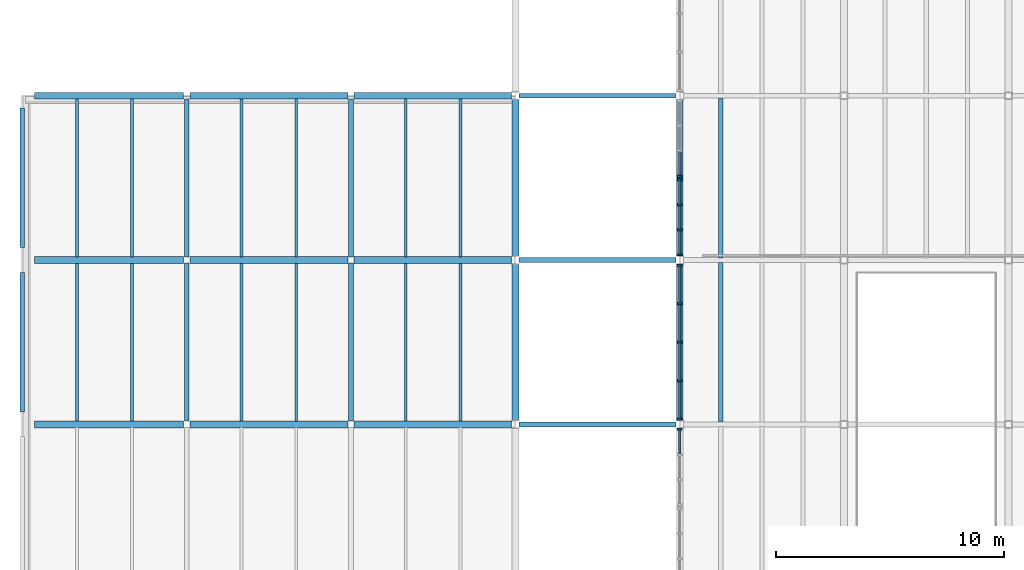
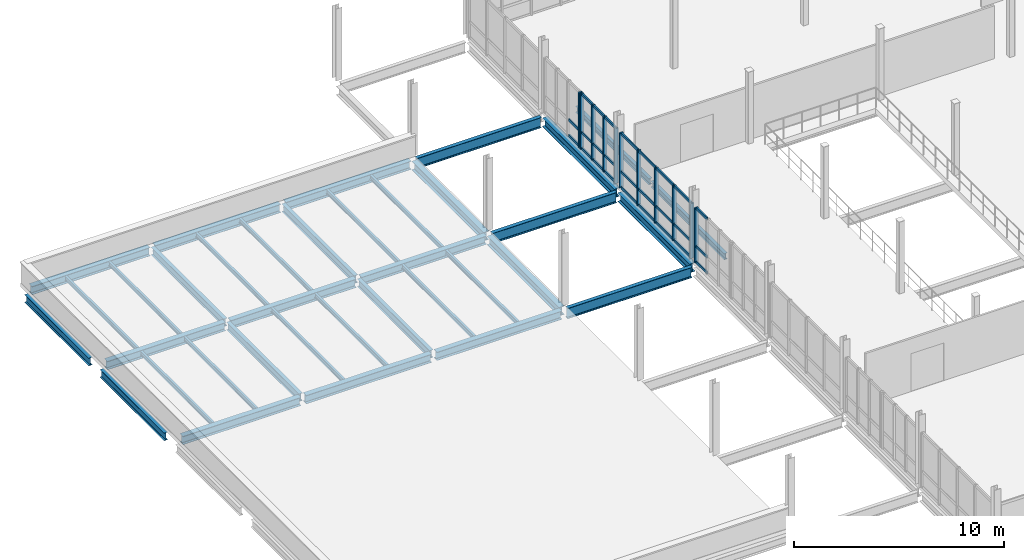
# One storey, part 29 of 72: 37 members, 36 beams, 4 elements without a shape of their own.
"""IFC4 building model written with IfcOpenShell, lengths in metres."""

from ifc_helpers import new_model, si_unit, direction, frame, origin, origin_2d, place, context, subcontext, project, spatial, rectangle, i_section, extrude, material, material_profile, profile_set, type_object, element, aggregate, save


model = new_model("IFC4")

# Units and contexts
model_context = context("Model", 3, precision=1e-05, world=origin(), true_north=direction((0.0, 1.0)))
body_context = subcontext(model_context, "Body", "Model", "MODEL_VIEW")
ifc_project = project(units=[si_unit("LENGTHUNIT", "METRE"), si_unit("AREAUNIT", "SQUARE_METRE"), si_unit("VOLUMEUNIT", "CUBIC_METRE"), si_unit("PLANEANGLEUNIT", "RADIAN"), si_unit("MASSUNIT", "GRAM", prefix="KILO")], contexts=[model_context])

# Site, building, storey
site_placement = place(None, origin())
site = spatial("IfcSite", under=ifc_project, at=site_placement, CompositionType="ELEMENT")
building_placement = place(site_placement, origin())
building = spatial("IfcBuilding", under=site, at=building_placement, Name="Qiaolan Assembly House", CompositionType="ELEMENT")
storey_placement = place(building_placement, frame((0.0, 0.0, 10.199951171875)))
storey = spatial("IfcBuildingStorey", under=building, at=storey_placement, Name="L02", CompositionType="ELEMENT", Elevation=10.199951171875)

# Beams
ifc_material_1 = material(Name="Steel Q355B", Category="steel")
ifc_material_profile_1 = material_profile(ifc_material_1, i_section(OverallWidth=0.300048828125, OverallDepth=0.488037109375, WebThickness=0.010986328125, FlangeThickness=0.01806640625, FilletRadius=0.02001953125, at=origin_2d()), Name="HM 488x300x11x18")
ifc_profile_set_1 = profile_set([ifc_material_profile_1], Name="Steel Q355B")
beam_type_1 = type_object("IfcBeamType", Name="BM-STL-HM488", PredefinedType="BEAM", material=ifc_profile_set_1)
beam_1_placement = place(storey_placement, frame((0.5400390625, 64.800048828125, -0.5439453125), z_axis=(1.0, 0.0, 0.0), x_axis=(0.0, 1.0, 0.0)))
element("IfcBeam", 1, at=beam_1_placement, inside=storey, type_object=beam_type_1, Name="SB-04 beam BMX-PTR-L02-00-03", PredefinedType="BEAM", context=body_context, shape_type="SweptSolid", body=[
    extrude(i_section(OverallWidth=0.300048828125, OverallDepth=0.488037109375, WebThickness=0.010986328125, FlangeThickness=0.01806640625, FilletRadius=0.02001953125, at=origin_2d()), origin(), (0.0, 0.0, 1.0), 6.52001953125),
])
beam_2_placement = place(storey_placement, frame((7.340087890625, 64.800048828125, -0.5439453125), z_axis=(1.0, 0.0, 0.0), x_axis=(0.0, 1.0, 0.0)))
element("IfcBeam", 2, at=beam_2_placement, inside=storey, type_object=beam_type_1, Name="SB-04 beam BMX-PTR-L02-01-03", PredefinedType="BEAM", context=body_context, shape_type="SweptSolid", body=[
    extrude(i_section(OverallWidth=0.300048828125, OverallDepth=0.488037109375, WebThickness=0.010986328125, FlangeThickness=0.01806640625, FilletRadius=0.02001953125, at=origin_2d()), origin(), (0.0, 0.0, 1.0), 6.919921875),
])
beam_3_placement = place(storey_placement, frame((14.5400390625, 64.800048828125, -0.5439453125), z_axis=(1.0, 0.0, 0.0), x_axis=(0.0, 1.0, 0.0)))
element("IfcBeam", 3, at=beam_3_placement, inside=storey, type_object=beam_type_1, Name="SB-04 beam BMX-PTR-L02-02-03", PredefinedType="BEAM", context=body_context, shape_type="SweptSolid", body=[
    extrude(i_section(OverallWidth=0.300048828125, OverallDepth=0.488037109375, WebThickness=0.010986328125, FlangeThickness=0.01806640625, FilletRadius=0.02001953125, at=origin_2d()), origin(), (0.0, 0.0, 1.0), 6.89501953125),
])
beam_4_placement = place(storey_placement, frame((0.5400390625, 72.0, -0.5439453125), z_axis=(1.0, 0.0, 0.0), x_axis=(0.0, 1.0, 0.0)))
element("IfcBeam", 4, at=beam_4_placement, inside=storey, type_object=beam_type_1, Name="SB-04 beam BMX-PTR-L02-00-04", PredefinedType="BEAM", context=body_context, shape_type="SweptSolid", body=[
    extrude(i_section(OverallWidth=0.300048828125, OverallDepth=0.488037109375, WebThickness=0.010986328125, FlangeThickness=0.01806640625, FilletRadius=0.02001953125, at=origin_2d()), origin(), (0.0, 0.0, 1.0), 6.52001953125),
])
beam_5_placement = place(storey_placement, frame((7.340087890625, 72.0, -0.5439453125), z_axis=(1.0, 0.0, 0.0), x_axis=(0.0, 1.0, 0.0)))
element("IfcBeam", 5, at=beam_5_placement, inside=storey, type_object=beam_type_1, Name="SB-04 beam BMX-PTR-L02-01-04", PredefinedType="BEAM", context=body_context, shape_type="SweptSolid", body=[
    extrude(i_section(OverallWidth=0.300048828125, OverallDepth=0.488037109375, WebThickness=0.010986328125, FlangeThickness=0.01806640625, FilletRadius=0.02001953125, at=origin_2d()), origin(), (0.0, 0.0, 1.0), 6.919921875),
])
beam_6_placement = place(storey_placement, frame((14.5400390625, 72.0, -0.5439453125), z_axis=(1.0, 0.0, 0.0), x_axis=(0.0, 1.0, 0.0)))
element("IfcBeam", 6, at=beam_6_placement, inside=storey, type_object=beam_type_1, Name="SB-04 beam BMX-PTR-L02-02-04", PredefinedType="BEAM", context=body_context, shape_type="SweptSolid", body=[
    extrude(i_section(OverallWidth=0.300048828125, OverallDepth=0.488037109375, WebThickness=0.010986328125, FlangeThickness=0.01806640625, FilletRadius=0.02001953125, at=origin_2d()), origin(), (0.0, 0.0, 1.0), 6.89501953125),
])
beam_7_placement = place(storey_placement, frame((0.5400390625, 79.199951171875, -0.5439453125), z_axis=(1.0, 0.0, 0.0), x_axis=(0.0, 1.0, 0.0)))
element("IfcBeam", 7, at=beam_7_placement, inside=storey, type_object=beam_type_1, Name="SB-04 beam BMX-PTR-L02-00-05", PredefinedType="BEAM", context=body_context, shape_type="SweptSolid", body=[
    extrude(i_section(OverallWidth=0.300048828125, OverallDepth=0.488037109375, WebThickness=0.010986328125, FlangeThickness=0.01806640625, FilletRadius=0.02001953125, at=origin_2d()), origin(), (0.0, 0.0, 1.0), 6.52001953125),
])
beam_8_placement = place(storey_placement, frame((7.340087890625, 79.199951171875, -0.5439453125), z_axis=(1.0, 0.0, 0.0), x_axis=(0.0, 1.0, 0.0)))
element("IfcBeam", 8, at=beam_8_placement, inside=storey, type_object=beam_type_1, Name="SB-04 beam BMX-PTR-L02-01-05", PredefinedType="BEAM", context=body_context, shape_type="SweptSolid", body=[
    extrude(i_section(OverallWidth=0.300048828125, OverallDepth=0.488037109375, WebThickness=0.010986328125, FlangeThickness=0.01806640625, FilletRadius=0.02001953125, at=origin_2d()), origin(), (0.0, 0.0, 1.0), 6.919921875),
])
beam_9_placement = place(storey_placement, frame((14.5400390625, 79.199951171875, -0.5439453125), z_axis=(1.0, 0.0, 0.0), x_axis=(0.0, 1.0, 0.0)))
element("IfcBeam", 9, at=beam_9_placement, inside=storey, type_object=beam_type_1, Name="SB-04 beam BMX-PTR-L02-02-05", PredefinedType="BEAM", context=body_context, shape_type="SweptSolid", body=[
    extrude(i_section(OverallWidth=0.300048828125, OverallDepth=0.488037109375, WebThickness=0.010986328125, FlangeThickness=0.01806640625, FilletRadius=0.02001953125, at=origin_2d()), origin(), (0.0, 0.0, 1.0), 6.89501953125),
])
ifc_material_profile_2 = material_profile(ifc_material_1, i_section(OverallWidth=0.300048828125, OverallDepth=0.5, WebThickness=0.010986328125, FlangeThickness=0.01806640625, FilletRadius=0.02001953125, at=origin_2d()), Name="HM 500x300x11x18")
ifc_profile_set_2 = profile_set([ifc_material_profile_2], Name="Steel Q355B")
beam_type_2 = type_object("IfcBeamType", Name="BM-STL-HM500", PredefinedType="BEAM", material=ifc_profile_set_2)
for number, where, z_axis, x_axis, name in (
    (10, (21.60009765625, 64.965087890625, -0.550048828125), (0.0, 1.0, 0.0), (-1.0, 0.0, 0.0), "SB-15 beam BMY-HL-L02-00-04"),
    (11, (21.60009765625, 72.1650390625, -0.550048828125), (0.0, 1.0, 0.0), (-1.0, 0.0, 0.0), "SB-15 beam BMY-HL-L02-00-05"),
    (12, (28.800048828125, 64.965087890625, -0.550048828125), (0.0, 1.0, 0.0), (-1.0, 0.0, 0.0), "SB-15 beam BMY-HL-L02-01-04"),
    (13, (28.800048828125, 72.1650390625, -0.550048828125), (0.0, 1.0, 0.0), (-1.0, 0.0, 0.0), "SB-15 beam BMY-HL-L02-01-05"),
):
    element("IfcBeam", number, at=place(storey_placement, frame(where, z_axis=z_axis, x_axis=x_axis)), inside=storey, type_object=beam_type_2, Name=name, PredefinedType="BEAM", context=body_context, shape_type="SweptSolid", body=[
        extrude(i_section(OverallWidth=0.300048828125, OverallDepth=0.5, WebThickness=0.010986328125, FlangeThickness=0.01806640625, FilletRadius=0.02001953125, at=origin_2d()), origin(), (0.0, 0.0, 1.0), 6.869873046875),
    ])
ifc_material_profile_3 = material_profile(ifc_material_1, i_section(OverallWidth=0.199951171875, OverallDepth=0.449951171875, WebThickness=0.009033203125, FlangeThickness=0.013916015625, FilletRadius=0.01611328125, at=origin_2d()), Name="HN 450x200x9x14")
ifc_profile_set_3 = profile_set([ifc_material_profile_3], Name="Steel Q355B")
beam_type_3 = type_object("IfcBeamType", Name="BM-STL-HN450", PredefinedType="BEAM", material=ifc_profile_set_3)
for number, where, z_axis, x_axis, name in (
    (14, (0.0, 65.340087890625, -0.52490234375), (0.0, 1.0, 0.0), (-1.0, 0.0, 0.0), "SB-07 beam BMY-PTR-L02-00-03"),
    (15, (0.0, 72.5400390625, -0.52490234375), (0.0, 1.0, 0.0), (-1.0, 0.0, 0.0), "SB-07 beam BMY-PTR-L02-00-04"),
):
    element("IfcBeam", number, at=place(storey_placement, frame(where, z_axis=z_axis, x_axis=x_axis)), inside=storey, type_object=beam_type_3, Name=name, PredefinedType="BEAM", context=body_context, shape_type="SweptSolid", body=[
        extrude(i_section(OverallWidth=0.199951171875, OverallDepth=0.449951171875, WebThickness=0.009033203125, FlangeThickness=0.013916015625, FilletRadius=0.01611328125, at=origin_2d()), origin(), (0.0, 0.0, 1.0), 6.119873046875),
    ])
for number, where, z_axis, x_axis, name in (
    (16, (7.199951171875, 64.93994140625, -0.52490234375), (0.0, 1.0, 0.0), (-1.0, 0.0, 0.0), "SB-07 beam BMY-PTR-L02-01-03"),
    (17, (7.199951171875, 72.139892578125, -0.52490234375), (0.0, 1.0, 0.0), (-1.0, 0.0, 0.0), "SB-07 beam BMY-PTR-L02-01-04"),
    (18, (14.39990234375, 64.93994140625, -0.52490234375), (0.0, 1.0, 0.0), (-1.0, 0.0, 0.0), "SB-07 beam BMY-PTR-L02-02-03"),
    (19, (14.39990234375, 72.139892578125, -0.52490234375), (0.0, 1.0, 0.0), (-1.0, 0.0, 0.0), "SB-07 beam BMY-PTR-L02-02-04"),
):
    element("IfcBeam", number, at=place(storey_placement, frame(where, z_axis=z_axis, x_axis=x_axis)), inside=storey, type_object=beam_type_3, Name=name, PredefinedType="BEAM", context=body_context, shape_type="SweptSolid", body=[
        extrude(i_section(OverallWidth=0.199951171875, OverallDepth=0.449951171875, WebThickness=0.009033203125, FlangeThickness=0.013916015625, FilletRadius=0.01611328125, at=origin_2d()), origin(), (0.0, 0.0, 1.0), 6.920166015625),
    ])
ifc_material_profile_4 = material_profile(ifc_material_1, i_section(OverallWidth=0.2099609375, OverallDepth=0.610107421875, WebThickness=0.010986328125, FlangeThickness=0.01806640625, FilletRadius=0.02001953125, at=origin_2d()), Name="HN 610x210x11x18")
ifc_profile_set_4 = profile_set([ifc_material_profile_4], Name="Steel Q355B")
beam_type_4 = type_object("IfcBeamType", Name="BM-STL-HN610", PredefinedType="BEAM", material=ifc_profile_set_4)
for number, where, z_axis, x_axis, name in (
    (20, (21.764892578125, 64.800048828125, -0.60498046875), (1.0, 0.0, 0.0), (0.0, 1.0, 0.0), "SB-11 beam BMX-HL-L02-00-04"),
    (21, (21.764892578125, 72.0, -0.60498046875), (1.0, 0.0, 0.0), (0.0, 1.0, 0.0), "SB-11 beam BMX-HL-L02-00-05"),
    (22, (21.764892578125, 79.199951171875, -0.60498046875), (1.0, 0.0, 0.0), (0.0, 1.0, 0.0), "SB-11 beam BMX-HL-L02-00-06"),
):
    element("IfcBeam", number, at=place(storey_placement, frame(where, z_axis=z_axis, x_axis=x_axis)), inside=storey, type_object=beam_type_4, Name=name, PredefinedType="BEAM", context=body_context, shape_type="SweptSolid", body=[
        extrude(i_section(OverallWidth=0.2099609375, OverallDepth=0.610107421875, WebThickness=0.010986328125, FlangeThickness=0.01806640625, FilletRadius=0.02001953125, at=origin_2d()), origin(), (0.0, 0.0, 1.0), 6.8701171875),
    ])

# Curtain wall, member
ifc_material_2 = material(Name="Anodised bronze aluminium", Category="aluminium")
curtain_wall_type = type_object("IfcCurtainWallType", Name="CW-HALL-UPPER-480", PredefinedType="NOTDEFINED", material=ifc_material_2)
curtain_wall_1_placement = place(storey_placement, origin())
curtain_wall_1 = element("IfcCurtainWall", 23, at=curtain_wall_1_placement, inside=storey, type_object=curtain_wall_type, Name="CW-01 Hall West facade L02-3B", PredefinedType="NOTDEFINED")
ifc_material_profile_5 = material_profile(ifc_material_2, rectangle(XDim=0.0859375, YDim=0.199951171875, at=origin_2d()), Name="MUL 86x200")
ifc_profile_set_5 = profile_set([ifc_material_profile_5], Name="Anodised bronze aluminium")
member_type_1 = type_object("IfcMemberType", Name="CW-HALL-UPPER-480-MUL", PredefinedType="MULLION", material=ifc_profile_set_5)
member_1_placement = place(storey_placement, frame((28.800048828125, 64.580078125, 0.0), z_axis=(0.0, 0.0, 1.0), x_axis=(0.0, 1.0, 0.0)))
member_1 = element("IfcMember", 24, at=member_1_placement, type_object=member_type_1, Name="ML-02 mullion CW-HALL-W-L02-3B-4", PredefinedType="MULLION", context=body_context, shape_type="SweptSolid", body=[
    extrude(rectangle(XDim=0.0859375, YDim=0.199951171875, at=origin_2d()), origin(), (0.0, 0.0, 1.0), 3.199951171875),
])

# Curtain wall, members
curtain_wall_2_placement = place(storey_placement, origin())
curtain_wall_2 = element("IfcCurtainWall", 25, at=curtain_wall_2_placement, inside=storey, type_object=curtain_wall_type, Name="CW-01 Hall West facade L02-4", PredefinedType="NOTDEFINED")
member_2_placement = place(storey_placement, frame((28.800048828125, 65.02001953125, 0.0), z_axis=(0.0, 0.0, 1.0), x_axis=(0.0, 1.0, 0.0)))
member_2 = element("IfcMember", 26, at=member_2_placement, type_object=member_type_1, Name="ML-02 mullion CW-HALL-W-L02-4-1", PredefinedType="MULLION", context=body_context, shape_type="SweptSolid", body=[
    extrude(rectangle(XDim=0.0859375, YDim=0.199951171875, at=origin_2d()), origin(), (0.0, 0.0, 1.0), 3.199951171875),
])
member_3_placement = place(storey_placement, frame((28.800048828125, 66.7099609375, 0.0), z_axis=(0.0, 0.0, 1.0), x_axis=(0.0, 1.0, 0.0)))
member_3 = element("IfcMember", 27, at=member_3_placement, type_object=member_type_1, Name="ML-02 mullion CW-HALL-W-L02-4-2", PredefinedType="MULLION", context=body_context, shape_type="SweptSolid", body=[
    extrude(rectangle(XDim=0.0859375, YDim=0.199951171875, at=origin_2d()), origin(), (0.0, 0.0, 1.0), 3.199951171875),
])
member_4_placement = place(storey_placement, frame((28.800048828125, 68.39990234375, 0.0), z_axis=(0.0, 0.0, 1.0), x_axis=(0.0, 1.0, 0.0)))
member_4 = element("IfcMember", 28, at=member_4_placement, type_object=member_type_1, Name="ML-02 mullion CW-HALL-W-L02-4-3", PredefinedType="MULLION", context=body_context, shape_type="SweptSolid", body=[
    extrude(rectangle(XDim=0.0859375, YDim=0.199951171875, at=origin_2d()), origin(), (0.0, 0.0, 1.0), 3.199951171875),
])
member_5_placement = place(storey_placement, frame((28.800048828125, 70.090087890625, 0.0), z_axis=(0.0, 0.0, 1.0), x_axis=(0.0, 1.0, 0.0)))
member_5 = element("IfcMember", 29, at=member_5_placement, type_object=member_type_1, Name="ML-02 mullion CW-HALL-W-L02-4-4", PredefinedType="MULLION", context=body_context, shape_type="SweptSolid", body=[
    extrude(rectangle(XDim=0.0859375, YDim=0.199951171875, at=origin_2d()), origin(), (0.0, 0.0, 1.0), 3.199951171875),
])
member_6_placement = place(storey_placement, frame((28.800048828125, 71.780029296875, 0.0), z_axis=(0.0, 0.0, 1.0), x_axis=(0.0, 1.0, 0.0)))
member_6 = element("IfcMember", 30, at=member_6_placement, type_object=member_type_1, Name="ML-02 mullion CW-HALL-W-L02-4-5", PredefinedType="MULLION", context=body_context, shape_type="SweptSolid", body=[
    extrude(rectangle(XDim=0.0859375, YDim=0.199951171875, at=origin_2d()), origin(), (0.0, 0.0, 1.0), 3.199951171875),
])

curtain_wall_3_placement = place(storey_placement, origin())
curtain_wall_3 = element("IfcCurtainWall", 31, at=curtain_wall_3_placement, inside=storey, type_object=curtain_wall_type, Name="CW-01 Hall West facade L02-5A", PredefinedType="NOTDEFINED")
member_7_placement = place(storey_placement, frame((28.800048828125, 72.219970703125, 0.0), z_axis=(0.0, 0.0, 1.0), x_axis=(0.0, 1.0, 0.0)))
member_7 = element("IfcMember", 32, at=member_7_placement, type_object=member_type_1, Name="ML-02 mullion CW-HALL-W-L02-5A-1", PredefinedType="MULLION", context=body_context, shape_type="SweptSolid", body=[
    extrude(rectangle(XDim=0.0859375, YDim=0.199951171875, at=origin_2d()), origin(), (0.0, 0.0, 1.0), 3.199951171875),
])
member_8_placement = place(storey_placement, frame((28.800048828125, 73.320068359375, 0.0), z_axis=(0.0, 0.0, 1.0), x_axis=(0.0, 1.0, 0.0)))
member_8 = element("IfcMember", 33, at=member_8_placement, type_object=member_type_1, Name="ML-02 mullion CW-HALL-W-L02-5A-2", PredefinedType="MULLION", context=body_context, shape_type="SweptSolid", body=[
    extrude(rectangle(XDim=0.0859375, YDim=0.199951171875, at=origin_2d()), origin(), (0.0, 0.0, 1.0), 3.199951171875),
])
member_9_placement = place(storey_placement, frame((28.800048828125, 74.419921875, 0.0), z_axis=(0.0, 0.0, 1.0), x_axis=(0.0, 1.0, 0.0)))
member_9 = element("IfcMember", 34, at=member_9_placement, type_object=member_type_1, Name="ML-02 mullion CW-HALL-W-L02-5A-3", PredefinedType="MULLION", context=body_context, shape_type="SweptSolid", body=[
    extrude(rectangle(XDim=0.0859375, YDim=0.199951171875, at=origin_2d()), origin(), (0.0, 0.0, 1.0), 3.199951171875),
])
member_10_placement = place(storey_placement, frame((28.800048828125, 75.52001953125, 0.0), z_axis=(0.0, 0.0, 1.0), x_axis=(0.0, 1.0, 0.0)))
member_10 = element("IfcMember", 35, at=member_10_placement, type_object=member_type_1, Name="ML-02 mullion CW-HALL-W-L02-5A-4", PredefinedType="MULLION", context=body_context, shape_type="SweptSolid", body=[
    extrude(rectangle(XDim=0.0859375, YDim=0.199951171875, at=origin_2d()), origin(), (0.0, 0.0, 1.0), 3.199951171875),
])

# Curtain wall, member
curtain_wall_4_placement = place(storey_placement, origin())
curtain_wall_4 = element("IfcCurtainWall", 36, at=curtain_wall_4_placement, inside=storey, type_object=curtain_wall_type, Name="CW-01 Hall West facade L02-5B", PredefinedType="NOTDEFINED")
member_11_placement = place(storey_placement, frame((28.800048828125, 75.679931640625, 0.0), z_axis=(0.0, 0.0, 1.0), x_axis=(0.0, 1.0, 0.0)))
member_11 = element("IfcMember", 37, at=member_11_placement, type_object=member_type_1, Name="ML-02 mullion CW-HALL-W-L02-5B-1", PredefinedType="MULLION", context=body_context, shape_type="SweptSolid", body=[
    extrude(rectangle(XDim=0.0859375, YDim=0.199951171875, at=origin_2d()), origin(), (0.0, 0.0, 1.0), 3.199951171875),
])

# Member
ifc_material_profile_6 = material_profile(ifc_material_2, rectangle(XDim=0.075927734375, YDim=0.14990234375, at=origin_2d()), Name="TRN 76x150")
ifc_profile_set_6 = profile_set([ifc_material_profile_6], Name="Anodised bronze aluminium")
member_type_2 = type_object("IfcMemberType", Name="CW-HALL-UPPER-480-TRN", PredefinedType="USERDEFINED", material=ifc_profile_set_6)
member_12_placement = place(storey_placement, frame((28.800048828125, 63.52294921875, 0.030029296875), z_axis=(0.0, 1.0, 0.0), x_axis=(-1.0, 0.0, 0.0)))
member_12 = element("IfcMember", 38, at=member_12_placement, type_object=member_type_2, Name="TR-02 transom CW-HALL-W-L02-3B-3-1", ObjectType="TRANSOM", PredefinedType="USERDEFINED", context=body_context, shape_type="SweptSolid", body=[
    extrude(rectangle(XDim=0.075927734375, YDim=0.14990234375, at=origin_2d()), origin(), (0.0, 0.0, 1.0), 1.01416015625),
])

member_13_placement = place(storey_placement, frame((28.800048828125, 63.52294921875, 0.949951171875), z_axis=(0.0, 1.0, 0.0), x_axis=(-1.0, 0.0, 0.0)))
member_13 = element("IfcMember", 39, at=member_13_placement, type_object=member_type_2, Name="TR-02 transom CW-HALL-W-L02-3B-3-2", ObjectType="TRANSOM", PredefinedType="USERDEFINED", context=body_context, shape_type="SweptSolid", body=[
    extrude(rectangle(XDim=0.075927734375, YDim=0.14990234375, at=origin_2d()), origin(), (0.0, 0.0, 1.0), 1.01416015625),
])

member_14_placement = place(storey_placement, frame((28.800048828125, 63.52294921875, 3.170166015625), z_axis=(0.0, 1.0, 0.0), x_axis=(-1.0, 0.0, 0.0)))
member_14 = element("IfcMember", 40, at=member_14_placement, type_object=member_type_2, Name="TR-02 transom CW-HALL-W-L02-3B-3-3", ObjectType="TRANSOM", PredefinedType="USERDEFINED", context=body_context, shape_type="SweptSolid", body=[
    extrude(rectangle(XDim=0.075927734375, YDim=0.14990234375, at=origin_2d()), origin(), (0.0, 0.0, 1.0), 1.01416015625),
])

aggregate(curtain_wall_1, [member_1, member_12, member_13, member_14])

member_15_placement = place(storey_placement, frame((28.800048828125, 65.06298828125, 0.030029296875), z_axis=(0.0, 1.0, 0.0), x_axis=(-1.0, 0.0, 0.0)))
member_15 = element("IfcMember", 41, at=member_15_placement, type_object=member_type_2, Name="TR-02 transom CW-HALL-W-L02-4-1-1", ObjectType="TRANSOM", PredefinedType="USERDEFINED", context=body_context, shape_type="SweptSolid", body=[
    extrude(rectangle(XDim=0.075927734375, YDim=0.14990234375, at=origin_2d()), origin(), (0.0, 0.0, 1.0), 1.60400390625),
])

member_16_placement = place(storey_placement, frame((28.800048828125, 65.06298828125, 0.949951171875), z_axis=(0.0, 1.0, 0.0), x_axis=(-1.0, 0.0, 0.0)))
member_16 = element("IfcMember", 42, at=member_16_placement, type_object=member_type_2, Name="TR-02 transom CW-HALL-W-L02-4-1-2", ObjectType="TRANSOM", PredefinedType="USERDEFINED", context=body_context, shape_type="SweptSolid", body=[
    extrude(rectangle(XDim=0.075927734375, YDim=0.14990234375, at=origin_2d()), origin(), (0.0, 0.0, 1.0), 1.60400390625),
])

member_17_placement = place(storey_placement, frame((28.800048828125, 65.06298828125, 3.170166015625), z_axis=(0.0, 1.0, 0.0), x_axis=(-1.0, 0.0, 0.0)))
member_17 = element("IfcMember", 43, at=member_17_placement, type_object=member_type_2, Name="TR-02 transom CW-HALL-W-L02-4-1-3", ObjectType="TRANSOM", PredefinedType="USERDEFINED", context=body_context, shape_type="SweptSolid", body=[
    extrude(rectangle(XDim=0.075927734375, YDim=0.14990234375, at=origin_2d()), origin(), (0.0, 0.0, 1.0), 1.60400390625),
])

member_18_placement = place(storey_placement, frame((28.800048828125, 66.7529296875, 0.030029296875), z_axis=(0.0, 1.0, 0.0), x_axis=(-1.0, 0.0, 0.0)))
member_18 = element("IfcMember", 44, at=member_18_placement, type_object=member_type_2, Name="TR-02 transom CW-HALL-W-L02-4-2-1", ObjectType="TRANSOM", PredefinedType="USERDEFINED", context=body_context, shape_type="SweptSolid", body=[
    extrude(rectangle(XDim=0.075927734375, YDim=0.14990234375, at=origin_2d()), origin(), (0.0, 0.0, 1.0), 1.60400390625),
])

member_19_placement = place(storey_placement, frame((28.800048828125, 66.7529296875, 0.949951171875), z_axis=(0.0, 1.0, 0.0), x_axis=(-1.0, 0.0, 0.0)))
member_19 = element("IfcMember", 45, at=member_19_placement, type_object=member_type_2, Name="TR-02 transom CW-HALL-W-L02-4-2-2", ObjectType="TRANSOM", PredefinedType="USERDEFINED", context=body_context, shape_type="SweptSolid", body=[
    extrude(rectangle(XDim=0.075927734375, YDim=0.14990234375, at=origin_2d()), origin(), (0.0, 0.0, 1.0), 1.60400390625),
])

member_20_placement = place(storey_placement, frame((28.800048828125, 66.7529296875, 3.170166015625), z_axis=(0.0, 1.0, 0.0), x_axis=(-1.0, 0.0, 0.0)))
member_20 = element("IfcMember", 46, at=member_20_placement, type_object=member_type_2, Name="TR-02 transom CW-HALL-W-L02-4-2-3", ObjectType="TRANSOM", PredefinedType="USERDEFINED", context=body_context, shape_type="SweptSolid", body=[
    extrude(rectangle(XDim=0.075927734375, YDim=0.14990234375, at=origin_2d()), origin(), (0.0, 0.0, 1.0), 1.60400390625),
])

member_21_placement = place(storey_placement, frame((28.800048828125, 68.443115234375, 0.030029296875), z_axis=(0.0, 1.0, 0.0), x_axis=(-1.0, 0.0, 0.0)))
member_21 = element("IfcMember", 47, at=member_21_placement, type_object=member_type_2, Name="TR-02 transom CW-HALL-W-L02-4-3-1", ObjectType="TRANSOM", PredefinedType="USERDEFINED", context=body_context, shape_type="SweptSolid", body=[
    extrude(rectangle(XDim=0.075927734375, YDim=0.14990234375, at=origin_2d()), origin(), (0.0, 0.0, 1.0), 1.60400390625),
])

member_22_placement = place(storey_placement, frame((28.800048828125, 68.443115234375, 0.949951171875), z_axis=(0.0, 1.0, 0.0), x_axis=(-1.0, 0.0, 0.0)))
member_22 = element("IfcMember", 48, at=member_22_placement, type_object=member_type_2, Name="TR-02 transom CW-HALL-W-L02-4-3-2", ObjectType="TRANSOM", PredefinedType="USERDEFINED", context=body_context, shape_type="SweptSolid", body=[
    extrude(rectangle(XDim=0.075927734375, YDim=0.14990234375, at=origin_2d()), origin(), (0.0, 0.0, 1.0), 1.60400390625),
])

member_23_placement = place(storey_placement, frame((28.800048828125, 68.443115234375, 3.170166015625), z_axis=(0.0, 1.0, 0.0), x_axis=(-1.0, 0.0, 0.0)))
member_23 = element("IfcMember", 49, at=member_23_placement, type_object=member_type_2, Name="TR-02 transom CW-HALL-W-L02-4-3-3", ObjectType="TRANSOM", PredefinedType="USERDEFINED", context=body_context, shape_type="SweptSolid", body=[
    extrude(rectangle(XDim=0.075927734375, YDim=0.14990234375, at=origin_2d()), origin(), (0.0, 0.0, 1.0), 1.60400390625),
])

member_24_placement = place(storey_placement, frame((28.800048828125, 70.133056640625, 0.030029296875), z_axis=(0.0, 1.0, 0.0), x_axis=(-1.0, 0.0, 0.0)))
member_24 = element("IfcMember", 50, at=member_24_placement, type_object=member_type_2, Name="TR-02 transom CW-HALL-W-L02-4-4-1", ObjectType="TRANSOM", PredefinedType="USERDEFINED", context=body_context, shape_type="SweptSolid", body=[
    extrude(rectangle(XDim=0.075927734375, YDim=0.14990234375, at=origin_2d()), origin(), (0.0, 0.0, 1.0), 1.60400390625),
])

member_25_placement = place(storey_placement, frame((28.800048828125, 70.133056640625, 0.949951171875), z_axis=(0.0, 1.0, 0.0), x_axis=(-1.0, 0.0, 0.0)))
member_25 = element("IfcMember", 51, at=member_25_placement, type_object=member_type_2, Name="TR-02 transom CW-HALL-W-L02-4-4-2", ObjectType="TRANSOM", PredefinedType="USERDEFINED", context=body_context, shape_type="SweptSolid", body=[
    extrude(rectangle(XDim=0.075927734375, YDim=0.14990234375, at=origin_2d()), origin(), (0.0, 0.0, 1.0), 1.60400390625),
])

member_26_placement = place(storey_placement, frame((28.800048828125, 70.133056640625, 3.170166015625), z_axis=(0.0, 1.0, 0.0), x_axis=(-1.0, 0.0, 0.0)))
member_26 = element("IfcMember", 52, at=member_26_placement, type_object=member_type_2, Name="TR-02 transom CW-HALL-W-L02-4-4-3", ObjectType="TRANSOM", PredefinedType="USERDEFINED", context=body_context, shape_type="SweptSolid", body=[
    extrude(rectangle(XDim=0.075927734375, YDim=0.14990234375, at=origin_2d()), origin(), (0.0, 0.0, 1.0), 1.60400390625),
])

aggregate(curtain_wall_2, [member_2, member_3, member_4, member_5, member_6, member_15, member_16, member_17, member_18, member_19, member_20, member_21, member_22, member_23, member_24, member_25, member_26])

member_27_placement = place(storey_placement, frame((28.800048828125, 72.262939453125, 0.030029296875), z_axis=(0.0, 1.0, 0.0), x_axis=(-1.0, 0.0, 0.0)))
member_27 = element("IfcMember", 53, at=member_27_placement, type_object=member_type_2, Name="TR-02 transom CW-HALL-W-L02-5A-1-1", ObjectType="TRANSOM", PredefinedType="USERDEFINED", context=body_context, shape_type="SweptSolid", body=[
    extrude(rectangle(XDim=0.075927734375, YDim=0.14990234375, at=origin_2d()), origin(), (0.0, 0.0, 1.0), 1.01416015625),
])

member_28_placement = place(storey_placement, frame((28.800048828125, 72.262939453125, 0.949951171875), z_axis=(0.0, 1.0, 0.0), x_axis=(-1.0, 0.0, 0.0)))
member_28 = element("IfcMember", 54, at=member_28_placement, type_object=member_type_2, Name="TR-02 transom CW-HALL-W-L02-5A-1-2", ObjectType="TRANSOM", PredefinedType="USERDEFINED", context=body_context, shape_type="SweptSolid", body=[
    extrude(rectangle(XDim=0.075927734375, YDim=0.14990234375, at=origin_2d()), origin(), (0.0, 0.0, 1.0), 1.01416015625),
])

member_29_placement = place(storey_placement, frame((28.800048828125, 72.262939453125, 3.170166015625), z_axis=(0.0, 1.0, 0.0), x_axis=(-1.0, 0.0, 0.0)))
member_29 = element("IfcMember", 55, at=member_29_placement, type_object=member_type_2, Name="TR-02 transom CW-HALL-W-L02-5A-1-3", ObjectType="TRANSOM", PredefinedType="USERDEFINED", context=body_context, shape_type="SweptSolid", body=[
    extrude(rectangle(XDim=0.075927734375, YDim=0.14990234375, at=origin_2d()), origin(), (0.0, 0.0, 1.0), 1.01416015625),
])

member_30_placement = place(storey_placement, frame((28.800048828125, 73.363037109375, 0.030029296875), z_axis=(0.0, 1.0, 0.0), x_axis=(-1.0, 0.0, 0.0)))
member_30 = element("IfcMember", 56, at=member_30_placement, type_object=member_type_2, Name="TR-02 transom CW-HALL-W-L02-5A-2-1", ObjectType="TRANSOM", PredefinedType="USERDEFINED", context=body_context, shape_type="SweptSolid", body=[
    extrude(rectangle(XDim=0.075927734375, YDim=0.14990234375, at=origin_2d()), origin(), (0.0, 0.0, 1.0), 1.013916015625),
])

member_31_placement = place(storey_placement, frame((28.800048828125, 73.363037109375, 0.949951171875), z_axis=(0.0, 1.0, 0.0), x_axis=(-1.0, 0.0, 0.0)))
member_31 = element("IfcMember", 57, at=member_31_placement, type_object=member_type_2, Name="TR-02 transom CW-HALL-W-L02-5A-2-2", ObjectType="TRANSOM", PredefinedType="USERDEFINED", context=body_context, shape_type="SweptSolid", body=[
    extrude(rectangle(XDim=0.075927734375, YDim=0.14990234375, at=origin_2d()), origin(), (0.0, 0.0, 1.0), 1.013916015625),
])

member_32_placement = place(storey_placement, frame((28.800048828125, 73.363037109375, 3.170166015625), z_axis=(0.0, 1.0, 0.0), x_axis=(-1.0, 0.0, 0.0)))
member_32 = element("IfcMember", 58, at=member_32_placement, type_object=member_type_2, Name="TR-02 transom CW-HALL-W-L02-5A-2-3", ObjectType="TRANSOM", PredefinedType="USERDEFINED", context=body_context, shape_type="SweptSolid", body=[
    extrude(rectangle(XDim=0.075927734375, YDim=0.14990234375, at=origin_2d()), origin(), (0.0, 0.0, 1.0), 1.013916015625),
])

member_33_placement = place(storey_placement, frame((28.800048828125, 74.462890625, 0.030029296875), z_axis=(0.0, 1.0, 0.0), x_axis=(-1.0, 0.0, 0.0)))
member_33 = element("IfcMember", 59, at=member_33_placement, type_object=member_type_2, Name="TR-02 transom CW-HALL-W-L02-5A-3-1", ObjectType="TRANSOM", PredefinedType="USERDEFINED", context=body_context, shape_type="SweptSolid", body=[
    extrude(rectangle(XDim=0.075927734375, YDim=0.14990234375, at=origin_2d()), origin(), (0.0, 0.0, 1.0), 1.01416015625),
])

member_34_placement = place(storey_placement, frame((28.800048828125, 74.462890625, 0.949951171875), z_axis=(0.0, 1.0, 0.0), x_axis=(-1.0, 0.0, 0.0)))
member_34 = element("IfcMember", 60, at=member_34_placement, type_object=member_type_2, Name="TR-02 transom CW-HALL-W-L02-5A-3-2", ObjectType="TRANSOM", PredefinedType="USERDEFINED", context=body_context, shape_type="SweptSolid", body=[
    extrude(rectangle(XDim=0.075927734375, YDim=0.14990234375, at=origin_2d()), origin(), (0.0, 0.0, 1.0), 1.01416015625),
])

member_35_placement = place(storey_placement, frame((28.800048828125, 74.462890625, 3.170166015625), z_axis=(0.0, 1.0, 0.0), x_axis=(-1.0, 0.0, 0.0)))
member_35 = element("IfcMember", 61, at=member_35_placement, type_object=member_type_2, Name="TR-02 transom CW-HALL-W-L02-5A-3-3", ObjectType="TRANSOM", PredefinedType="USERDEFINED", context=body_context, shape_type="SweptSolid", body=[
    extrude(rectangle(XDim=0.075927734375, YDim=0.14990234375, at=origin_2d()), origin(), (0.0, 0.0, 1.0), 1.01416015625),
])

aggregate(curtain_wall_3, [member_7, member_8, member_9, member_10, member_27, member_28, member_29, member_30, member_31, member_32, member_33, member_34, member_35])

member_36_placement = place(storey_placement, frame((28.800048828125, 75.722900390625, 0.030029296875), z_axis=(0.0, 1.0, 0.0), x_axis=(-1.0, 0.0, 0.0)))
member_36 = element("IfcMember", 62, at=member_36_placement, type_object=member_type_2, Name="TR-02 transom CW-HALL-W-L02-5B-1-1", ObjectType="TRANSOM", PredefinedType="USERDEFINED", context=body_context, shape_type="SweptSolid", body=[
    extrude(rectangle(XDim=0.075927734375, YDim=0.14990234375, at=origin_2d()), origin(), (0.0, 0.0, 1.0), 1.01416015625),
])

member_37_placement = place(storey_placement, frame((28.800048828125, 75.722900390625, 0.949951171875), z_axis=(0.0, 1.0, 0.0), x_axis=(-1.0, 0.0, 0.0)))
member_37 = element("IfcMember", 63, at=member_37_placement, type_object=member_type_2, Name="TR-02 transom CW-HALL-W-L02-5B-1-2", ObjectType="TRANSOM", PredefinedType="USERDEFINED", context=body_context, shape_type="SweptSolid", body=[
    extrude(rectangle(XDim=0.075927734375, YDim=0.14990234375, at=origin_2d()), origin(), (0.0, 0.0, 1.0), 1.01416015625),
])

aggregate(curtain_wall_4, [member_11, member_36, member_37])

# Beams
ifc_material_profile_7 = material_profile(ifc_material_1, i_section(OverallWidth=0.179931640625, OverallDepth=0.35498046875, WebThickness=0.007568359375, FlangeThickness=0.011474609375, FilletRadius=0.013916015625, at=origin_2d()), Name="HM 355x180x7.5x11.5")
ifc_profile_set_7 = profile_set([ifc_material_profile_7], Name="Steel Q355B")
beam_type_5 = type_object("IfcBeamType", Name="JST-STL-HM355", PredefinedType="JOIST", material=ifc_profile_set_7)
for number, where, z_axis, x_axis, name in (
    (64, (30.60009765625, 64.89892578125, -0.4775390625), (0.0, 1.0, 0.0), (-1.0, 0.0, 0.0), "SJ-04 beam JST-HL-L02-01-04-1"),
    (65, (30.60009765625, 72.09912109375, -0.4775390625), (0.0, 1.0, 0.0), (-1.0, 0.0, 0.0), "SJ-04 beam JST-HL-L02-01-05-1"),
):
    element("IfcBeam", number, at=place(storey_placement, frame(where, z_axis=z_axis, x_axis=x_axis)), inside=storey, type_object=beam_type_5, Name=name, PredefinedType="JOIST", context=body_context, shape_type="SweptSolid", body=[
        extrude(i_section(OverallWidth=0.179931640625, OverallDepth=0.35498046875, WebThickness=0.007568359375, FlangeThickness=0.011474609375, FilletRadius=0.013916015625, at=origin_2d()), origin(), (0.0, 0.0, 1.0), 7.001953125),
    ])
ifc_material_profile_8 = material_profile(ifc_material_1, i_section(OverallWidth=0.125, OverallDepth=0.25, WebThickness=0.006103515625, FlangeThickness=0.009033203125, FilletRadius=0.011962890625, at=origin_2d()), Name="HN 250x125x6x9")
ifc_profile_set_8 = profile_set([ifc_material_profile_8], Name="Steel Q355B")
beam_type_6 = type_object("IfcBeamType", Name="JST-STL-HN250", PredefinedType="JOIST", material=ifc_profile_set_8)
for number, where, z_axis, x_axis, name in (
    (66, (2.39990234375, 64.944091796875, -0.425048828125), (0.0, 1.0, 0.0), (-1.0, 0.0, 0.0), "SJ-03 beam JST-PTR-L02-00-03-1"),
    (67, (4.800048828125, 64.944091796875, -0.425048828125), (0.0, 1.0, 0.0), (-1.0, 0.0, 0.0), "SJ-03 beam JST-PTR-L02-00-03-2"),
    (68, (2.39990234375, 72.14404296875, -0.425048828125), (0.0, 1.0, 0.0), (-1.0, 0.0, 0.0), "SJ-03 beam JST-PTR-L02-00-04-1"),
    (69, (4.800048828125, 72.14404296875, -0.425048828125), (0.0, 1.0, 0.0), (-1.0, 0.0, 0.0), "SJ-03 beam JST-PTR-L02-00-04-2"),
    (70, (9.60009765625, 64.944091796875, -0.425048828125), (0.0, 1.0, 0.0), (-1.0, 0.0, 0.0), "SJ-03 beam JST-PTR-L02-01-03-1"),
    (71, (12.0, 64.944091796875, -0.425048828125), (0.0, 1.0, 0.0), (-1.0, 0.0, 0.0), "SJ-03 beam JST-PTR-L02-01-03-2"),
    (72, (9.60009765625, 72.14404296875, -0.425048828125), (0.0, 1.0, 0.0), (-1.0, 0.0, 0.0), "SJ-03 beam JST-PTR-L02-01-04-1"),
    (73, (12.0, 72.14404296875, -0.425048828125), (0.0, 1.0, 0.0), (-1.0, 0.0, 0.0), "SJ-03 beam JST-PTR-L02-01-04-2"),
    (74, (16.800048828125, 64.944091796875, -0.425048828125), (0.0, 1.0, 0.0), (-1.0, 0.0, 0.0), "SJ-03 beam JST-PTR-L02-02-03-1"),
    (75, (19.199951171875, 64.944091796875, -0.425048828125), (0.0, 1.0, 0.0), (-1.0, 0.0, 0.0), "SJ-03 beam JST-PTR-L02-02-03-2"),
    (76, (16.800048828125, 72.14404296875, -0.425048828125), (0.0, 1.0, 0.0), (-1.0, 0.0, 0.0), "SJ-03 beam JST-PTR-L02-02-04-1"),
    (77, (19.199951171875, 72.14404296875, -0.425048828125), (0.0, 1.0, 0.0), (-1.0, 0.0, 0.0), "SJ-03 beam JST-PTR-L02-02-04-2"),
):
    element("IfcBeam", number, at=place(storey_placement, frame(where, z_axis=z_axis, x_axis=x_axis)), inside=storey, type_object=beam_type_6, Name=name, PredefinedType="JOIST", context=body_context, shape_type="SweptSolid", body=[
        extrude(i_section(OverallWidth=0.125, OverallDepth=0.25, WebThickness=0.006103515625, FlangeThickness=0.009033203125, FilletRadius=0.011962890625, at=origin_2d()), origin(), (0.0, 0.0, 1.0), 6.911865234375),
    ])

save(model, "model.ifc")
